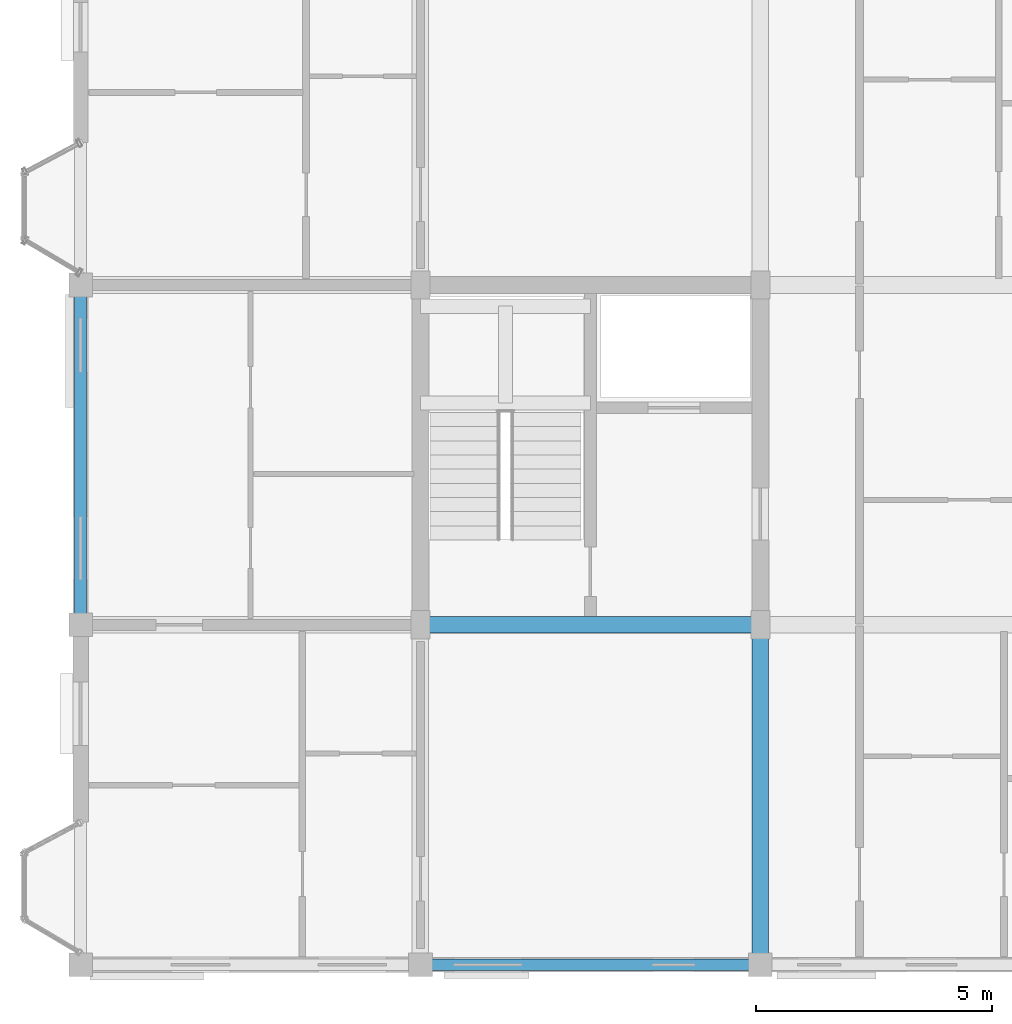
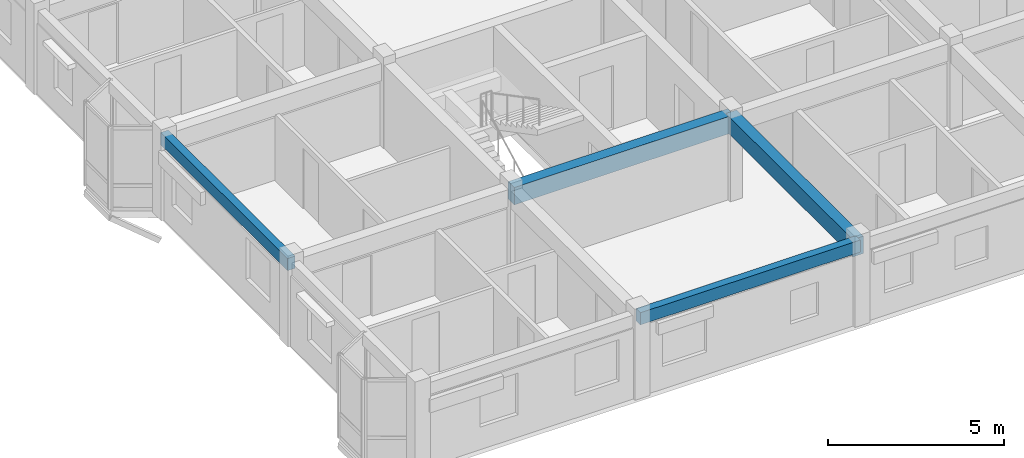
# One storey, part 4 of 70: 4 beams.
"""IFC4 building model written with IfcOpenShell, lengths in metres."""

from ifc_helpers import new_model, si_unit, direction, frame, origin, origin_2d, place, context, subcontext, project, spatial, rectangle, extrude, material, material_profile, profile_set, type_object, element, save


model = new_model("IFC4")

# Units and contexts
model_context = context("Model", 3, precision=1e-05, world=origin(), true_north=direction((0.0, 1.0)))
body_context = subcontext(model_context, "Body", "Model", "MODEL_VIEW")
ifc_project = project(units=[si_unit("LENGTHUNIT", "METRE"), si_unit("AREAUNIT", "SQUARE_METRE"), si_unit("VOLUMEUNIT", "CUBIC_METRE"), si_unit("PLANEANGLEUNIT", "RADIAN"), si_unit("MASSUNIT", "GRAM", prefix="KILO"), si_unit("THERMODYNAMICTEMPERATUREUNIT", "KELVIN"), si_unit("POWERUNIT", "WATT")], contexts=[model_context])

# Site, building, storey
site_placement = place(None, origin())
site = spatial("IfcSite", under=ifc_project, at=site_placement, CompositionType="ELEMENT")
building_placement = place(site_placement, origin())
building = spatial("IfcBuilding", under=site, at=building_placement, Name="Tavuni Mirador Residences", CompositionType="ELEMENT")
storey_placement = place(building_placement, frame((0.0, 0.0, 23.39990234375)))
storey = spatial("IfcBuildingStorey", under=building, at=storey_placement, Name="L07", CompositionType="ELEMENT", Elevation=23.39990234375)

# Beams
ifc_material = material(Name="Precast concrete C40/50", Category="concrete")
ifc_material_profile_1 = material_profile(ifc_material, rectangle(XDim=0.35009765625, YDim=0.60009765625, at=origin_2d()), Name="PC 350x600", Category="concrete")
ifc_profile_set_1 = profile_set([ifc_material_profile_1], Name="Precast concrete C40/50")
beam_type_1 = type_object("IfcBeamType", Name="BT-B600", PredefinedType="BEAM", material=ifc_profile_set_1)
for number, where, z_axis, x_axis, name in (
    (1, (10.800048828125, 14.39990234375, 2.570068359375), (1.0, 0.0, 0.0), (0.0, 1.0, 0.0), "BMX-BLK-A-L07-01-01"),
    (2, (18.0, 7.199951171875, 2.570068359375), (0.0, 1.0, 0.0), (-1.0, 0.0, 0.0), "BMY-BLK-A-L07-02-00"),
):
    element("IfcBeam", number, at=place(storey_placement, frame(where, z_axis=z_axis, x_axis=x_axis)), inside=storey, type_object=beam_type_1, Name=name, PredefinedType="BEAM", context=body_context, shape_type="SweptSolid", body=[
        extrude(rectangle(XDim=0.35009765625, YDim=0.60009765625, at=origin_2d()), origin(), (0.0, 0.0, 1.0), 7.199951171875),
    ])
ifc_material_profile_2 = material_profile(ifc_material, rectangle(XDim=0.25, YDim=0.419921875, at=origin_2d()), Name="PC 250x420", Category="concrete")
ifc_profile_set_2 = profile_set([ifc_material_profile_2], Name="Precast concrete C40/50")
beam_type_2 = type_object("IfcBeamType", Name="BT-SP420", PredefinedType="SPANDREL", material=ifc_profile_set_2)
beam_1_placement = place(storey_placement, frame((10.800048828125, 7.199951171875, 2.66015625), z_axis=(1.0, 0.0, 0.0), x_axis=(0.0, 1.0, 0.0)))
element("IfcBeam", 3, at=beam_1_placement, inside=storey, type_object=beam_type_2, Name="BMX-BLK-A-L07-01-00", PredefinedType="SPANDREL", context=body_context, shape_type="SweptSolid", body=[
    extrude(rectangle(XDim=0.25, YDim=0.419921875, at=origin_2d()), origin(), (0.0, 0.0, 1.0), 7.199951171875),
])
beam_2_placement = place(storey_placement, frame((3.60009765625, 14.39990234375, 2.66015625), z_axis=(0.0, 1.0, 0.0), x_axis=(-1.0, 0.0, 0.0)))
element("IfcBeam", 4, at=beam_2_placement, inside=storey, type_object=beam_type_2, Name="BMY-BLK-A-L07-00-01", PredefinedType="SPANDREL", context=body_context, shape_type="SweptSolid", body=[
    extrude(rectangle(XDim=0.25, YDim=0.419921875, at=origin_2d()), origin(), (0.0, 0.0, 1.0), 7.2001953125),
])

save(model, "model.ifc")
